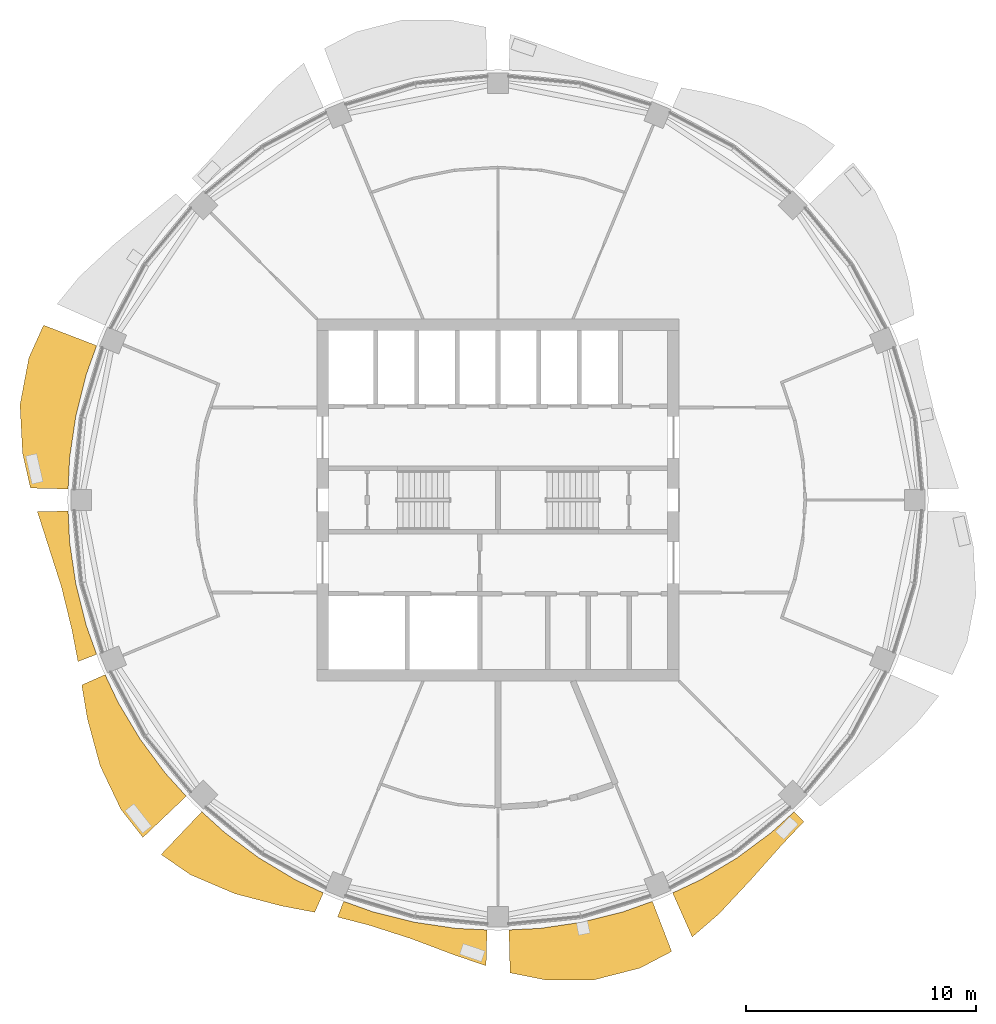
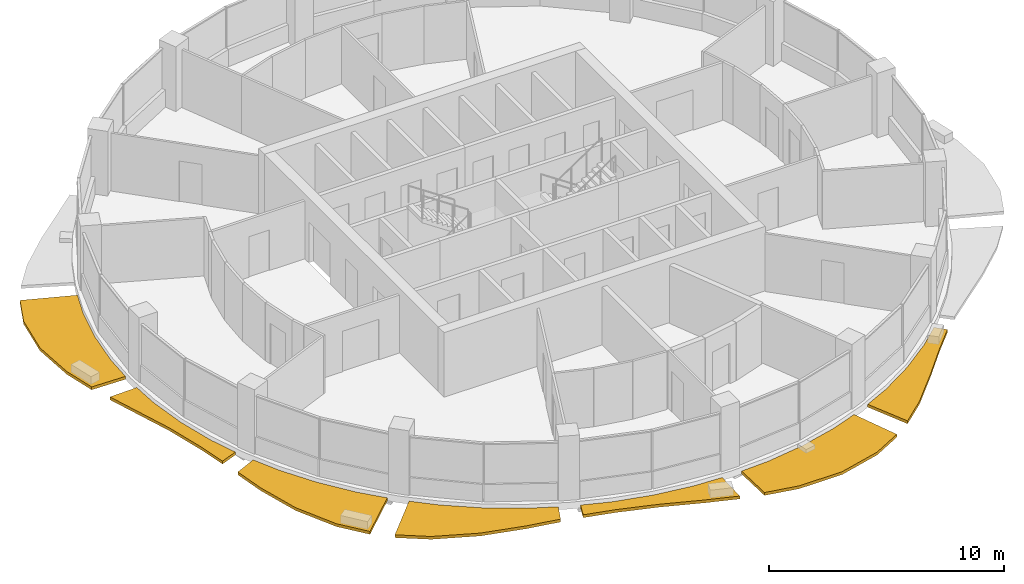
# One storey, part 12 of 15: 7 shading devices.
"""IFC4 building model written with IfcOpenShell, lengths in metres."""

from ifc_helpers import new_model, si_unit, direction, frame, origin, place, context, subcontext, project, spatial, polyline, outline, extrude, material, type_object, element, save


model = new_model("IFC4")

# Units and contexts
model_context = context("Model", 3, precision=1e-05, world=origin(), true_north=direction((0.0, 1.0)))
body_context = subcontext(model_context, "Body", "Model", "MODEL_VIEW")
ifc_project = project(units=[si_unit("LENGTHUNIT", "METRE"), si_unit("AREAUNIT", "SQUARE_METRE"), si_unit("VOLUMEUNIT", "CUBIC_METRE"), si_unit("PLANEANGLEUNIT", "RADIAN"), si_unit("MASSUNIT", "GRAM", prefix="KILO")], contexts=[model_context])

# Site, building, storey
site_placement = place(None, origin())
site = spatial("IfcSite", under=ifc_project, at=site_placement, CompositionType="ELEMENT")
building_placement = place(site_placement, origin())
building = spatial("IfcBuilding", under=site, at=building_placement, Name="Polderwave Tower", CompositionType="ELEMENT")
storey_placement = place(building_placement, frame((0.0, 0.0, 167.550048828125)))
storey = spatial("IfcBuildingStorey", under=building, at=storey_placement, Name="L44", CompositionType="ELEMENT", Elevation=167.550048828125)

# Shading devices
ifc_material = material(Name="Terracotta", Category="masonry")
shading_device_type = type_object("IfcShadingDeviceType", Name="Terracotta sunshade band", PredefinedType="USERDEFINED", material=ifc_material)
shading_device_1_placement = place(storey_placement, frame((0.0, 0.0, -0.35009765625)))
element("IfcShadingDevice", 1, at=shading_device_1_placement, inside=storey, type_object=shading_device_type, Name="Sunshade band L44 8", ObjectType="SUNSHADE", PredefinedType="USERDEFINED", context=body_context, shape_type="SweptSolid", body=[
    extrude(outline(polyline([(-17.437255859375, 6.707275390625), (-17.894775390625, 5.42822265625), (-18.3408203125, 3.648193359375), (-18.610107421875, 1.8330078125), (-18.676513671875, 0.476318359375), (-20.3125, 0.517822265625), (-20.6552734375, 2.034423828125), (-20.766357421875, 4.130615234375), (-20.3798828125, 6.18212890625), (-19.7421875, 7.593994140625), (-17.437255859375, 6.707275390625)])), origin(), (0.0, 0.0, 1.0), 0.150146484375),
])
shading_device_2_placement = place(storey_placement, frame((0.0, 0.0, -0.35009765625)))
element("IfcShadingDevice", 2, at=shading_device_2_placement, inside=storey, type_object=shading_device_type, Name="Sunshade band L44 9", ObjectType="SUNSHADE", PredefinedType="USERDEFINED", context=body_context, shape_type="SweptSolid", body=[
    extrude(outline(polyline([(-18.676513671875, -0.476318359375), (-18.610107421875, -1.8330078125), (-18.3408203125, -3.648193359375), (-17.894775390625, -5.42822265625), (-17.437255859375, -6.707275390625), (-18.246826171875, -7.018798828125), (-18.515380859375, -5.61669921875), (-18.96630859375, -3.772705078125), (-19.556884765625, -1.92626953125), (-20.010009765625, -0.51025390625), (-18.676513671875, -0.476318359375)])), origin(), (0.0, 0.0, 1.0), 0.150146484375),
])
shading_device_3_placement = place(storey_placement, frame((0.0, 0.0, -0.35009765625)))
element("IfcShadingDevice", 3, at=shading_device_3_placement, inside=storey, type_object=shading_device_type, Name="Sunshade band L44 10", ObjectType="SUNSHADE", PredefinedType="USERDEFINED", context=body_context, shape_type="SweptSolid", body=[
    extrude(outline(polyline([(-17.07275390625, -7.587158203125), (-16.491943359375, -8.815185546875), (-15.548583984375, -10.38916015625), (-14.455322265625, -11.86328125), (-13.543212890625, -12.86962890625), (-15.42724609375, -14.66015625), (-16.38037109375, -13.443115234375), (-17.2841796875, -11.548828125), (-17.83251953125, -9.53173828125), (-18.083984375, -8.03662109375), (-17.07275390625, -7.587158203125)])), origin(), (0.0, 0.0, 1.0), 0.150146484375),
])
shading_device_4_placement = place(storey_placement, frame((0.0, 0.0, -0.35009765625)))
element("IfcShadingDevice", 4, at=shading_device_4_placement, inside=storey, type_object=shading_device_type, Name="Sunshade band L44 11", ObjectType="SUNSHADE", PredefinedType="USERDEFINED", context=body_context, shape_type="SweptSolid", body=[
    extrude(outline(polyline([(-12.86962890625, -13.543212890625), (-11.86328125, -14.455322265625), (-10.38916015625, -15.548583984375), (-8.815185546875, -16.491943359375), (-7.587158203125, -17.07275390625), (-7.96044921875, -17.91259765625), (-9.42431640625, -17.631591796875), (-11.4296875, -17.105712890625), (-13.361083984375, -16.280517578125), (-14.6357421875, -15.401611328125), (-12.86962890625, -13.543212890625)])), origin(), (0.0, 0.0, 1.0), 0.150146484375),
])
shading_device_5_placement = place(storey_placement, frame((0.0, 0.0, -0.35009765625)))
element("IfcShadingDevice", 5, at=shading_device_5_placement, inside=storey, type_object=shading_device_type, Name="Sunshade band L44 12", ObjectType="SUNSHADE", PredefinedType="USERDEFINED", context=body_context, shape_type="SweptSolid", body=[
    extrude(outline(polyline([(-6.707275390625, -17.437255859375), (-5.42822265625, -17.894775390625), (-3.648193359375, -18.3408203125), (-1.8330078125, -18.610107421875), (-0.476318359375, -18.676513671875), (-0.51611328125, -20.239501953125), (-1.945068359375, -19.749267578125), (-3.7900390625, -19.053466796875), (-5.603515625, -18.471923828125), (-6.969482421875, -18.11865234375), (-6.707275390625, -17.437255859375)])), origin(), (0.0, 0.0, 1.0), 0.150146484375),
])
shading_device_6_placement = place(storey_placement, frame((0.0, 0.0, -0.35009765625)))
element("IfcShadingDevice", 6, at=shading_device_6_placement, inside=storey, type_object=shading_device_type, Name="Sunshade band L44 13", ObjectType="SUNSHADE", PredefinedType="USERDEFINED", context=body_context, shape_type="SweptSolid", body=[
    extrude(outline(polyline([(0.476318359375, -18.676513671875), (1.8330078125, -18.610107421875), (3.648193359375, -18.3408203125), (5.42822265625, -17.894775390625), (6.707275390625, -17.437255859375), (7.544677734375, -19.614013671875), (6.1689453125, -20.33642578125), (4.14794921875, -20.853515625), (2.05322265625, -20.847412109375), (0.523681640625, -20.5419921875), (0.476318359375, -18.676513671875)])), origin(), (0.0, 0.0, 1.0), 0.150146484375),
])
shading_device_7_placement = place(storey_placement, frame((0.0, 0.0, -0.35009765625)))
element("IfcShadingDevice", 7, at=shading_device_7_placement, inside=storey, type_object=shading_device_type, Name="Sunshade band L44 14", ObjectType="SUNSHADE", PredefinedType="USERDEFINED", context=body_context, shape_type="SweptSolid", body=[
    extrude(outline(polyline([(7.587158203125, -17.07275390625), (8.815185546875, -16.491943359375), (10.38916015625, -15.548583984375), (11.86328125, -14.455322265625), (12.86962890625, -13.543212890625), (13.283447265625, -13.978515625), (12.313232421875, -15.00390625), (11.00732421875, -16.4736328125), (9.60693359375, -17.973388671875), (8.437255859375, -18.985595703125), (7.587158203125, -17.07275390625)])), origin(), (0.0, 0.0, 1.0), 0.150146484375),
])

save(model, "model.ifc")
